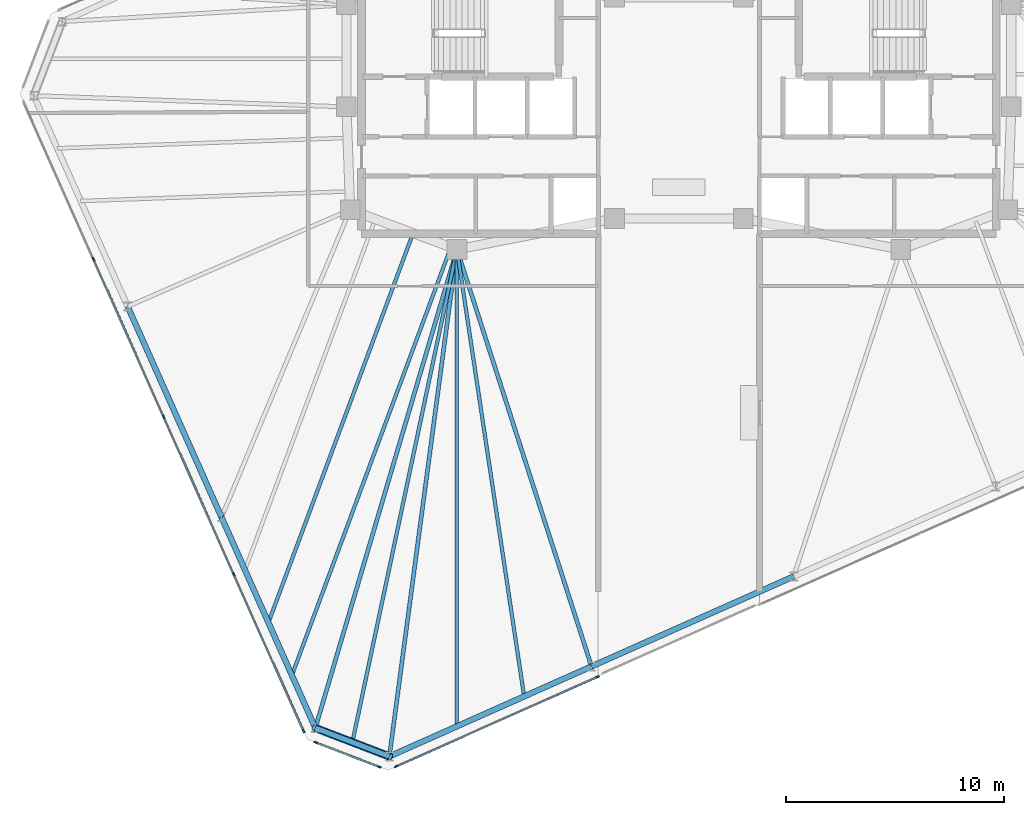
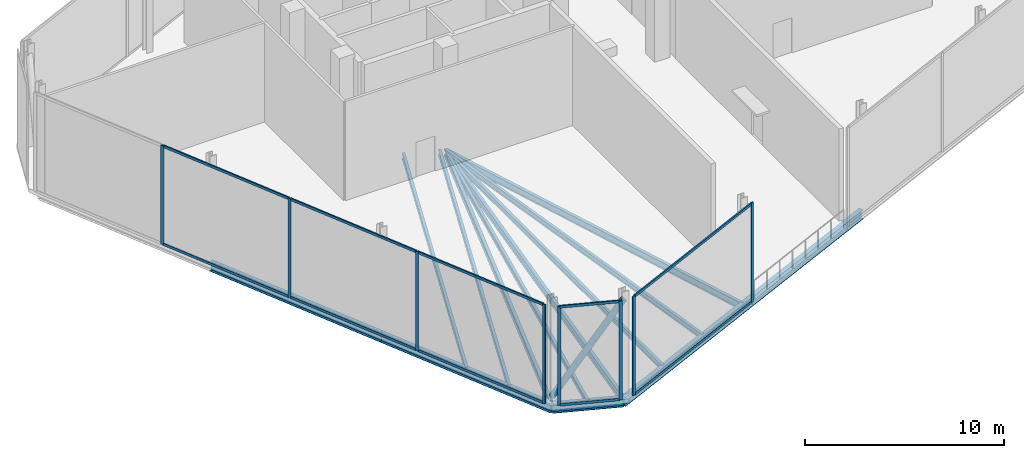
# One storey, part 6 of 16: 19 members, 13 beams, 3 elements without a shape of their own.
"""IFC4 building model written with IfcOpenShell, lengths in metres."""

from ifc_helpers import new_model, si_unit, direction, frame, origin, origin_2d, place, context, subcontext, project, spatial, rectangle, hollow_circle, i_section, extrude, material, material_profile, profile_set, type_object, element, aggregate, save


model = new_model("IFC4")

# Units and contexts
model_context = context("Model", 3, precision=1e-05, world=origin(), true_north=direction((0.0, 1.0)))
body_context = subcontext(model_context, "Body", "Model", "MODEL_VIEW")
ifc_project = project(units=[si_unit("LENGTHUNIT", "METRE"), si_unit("AREAUNIT", "SQUARE_METRE"), si_unit("VOLUMEUNIT", "CUBIC_METRE"), si_unit("PLANEANGLEUNIT", "RADIAN"), si_unit("MASSUNIT", "GRAM", prefix="KILO")], contexts=[model_context])

# Site, building, storey
site_placement = place(None, origin())
site = spatial("IfcSite", under=ifc_project, at=site_placement, CompositionType="ELEMENT")
building_placement = place(site_placement, origin())
building = spatial("IfcBuilding", under=site, at=building_placement, Name="Menara Jurai Vektor", CompositionType="ELEMENT")
storey_placement = place(building_placement, frame((0.0, 0.0, 275.60009765625)))
storey = spatial("IfcBuildingStorey", under=building, at=storey_placement, Name="L74", CompositionType="ELEMENT", Elevation=275.60009765625)

# Curtain wall, members
ifc_material_1 = material(Name="Anodised Pale Aluminium & Low-E Double Glazing", Category="aluminium")
curtain_wall_type = type_object("IfcCurtainWallType", Name="CW-BLK5", PredefinedType="NOTDEFINED", material=ifc_material_1)
curtain_wall_1_placement = place(storey_placement, origin())
curtain_wall_1 = element("IfcCurtainWall", 1, at=curtain_wall_1_placement, inside=storey, type_object=curtain_wall_type, Name="Unitised Curtain Wall L74 W1-04", PredefinedType="NOTDEFINED")
ifc_material_2 = material(Name="Anodised Pale Aluminium Mullion", Category="aluminium")
ifc_material_profile_1 = material_profile(ifc_material_2, rectangle(XDim=0.074951171875, YDim=0.175048828125, at=origin_2d()), Name="ALU MUL 75x175")
ifc_profile_set_1 = profile_set([ifc_material_profile_1], Name="Anodised Pale Aluminium Mullion")
member_type_1 = type_object("IfcMemberType", Name="CW-BLK5-MUL", PredefinedType="MULLION", material=ifc_profile_set_1)
member_1_placement = place(storey_placement, frame((-26.853271484375, -6.765869140625, 0.0), z_axis=(0.0, 0.0, 1.0), x_axis=(0.913546127706, 0.406735138086, 0.0)))
member_1 = element("IfcMember", 2, at=member_1_placement, type_object=member_type_1, Name="CW-05 mullion 2", PredefinedType="MULLION", context=body_context, shape_type="SweptSolid", body=[
    extrude(rectangle(XDim=0.074951171875, YDim=0.175048828125, at=origin_2d()), origin(), (0.0, 0.0, 1.0), 6.074951171875),
])
member_2_placement = place(storey_placement, frame((-23.635986328125, -13.991943359375, 0.0), z_axis=(0.0, 0.0, 1.0), x_axis=(0.913546127706, 0.406735138086, 0.0)))
member_2 = element("IfcMember", 3, at=member_2_placement, type_object=member_type_1, Name="CW-05 mullion 3", PredefinedType="MULLION", context=body_context, shape_type="SweptSolid", body=[
    extrude(rectangle(XDim=0.074951171875, YDim=0.175048828125, at=origin_2d()), origin(), (0.0, 0.0, 1.0), 6.074951171875),
])
member_3_placement = place(storey_placement, frame((-20.418701171875, -21.21826171875, 0.0), z_axis=(0.0, 0.0, 1.0), x_axis=(0.913546127706, 0.406735138086, 0.0)))
member_3 = element("IfcMember", 4, at=member_3_placement, type_object=member_type_1, Name="CW-05 mullion 4", PredefinedType="MULLION", context=body_context, shape_type="SweptSolid", body=[
    extrude(rectangle(XDim=0.074951171875, YDim=0.175048828125, at=origin_2d()), origin(), (0.0, 0.0, 1.0), 6.074951171875),
])
member_4_placement = place(storey_placement, frame((-17.216796875, -28.41015625, 0.0), z_axis=(0.0, 0.0, 1.0), x_axis=(0.913546127706, 0.406735138086, 0.0)))
member_4 = element("IfcMember", 5, at=member_4_placement, type_object=member_type_1, Name="CW-05 mullion 5", PredefinedType="MULLION", context=body_context, shape_type="SweptSolid", body=[
    extrude(rectangle(XDim=0.074951171875, YDim=0.175048828125, at=origin_2d()), origin(), (0.0, 0.0, 1.0), 6.074951171875),
])

curtain_wall_2_placement = place(storey_placement, origin())
curtain_wall_2 = element("IfcCurtainWall", 6, at=curtain_wall_2_placement, inside=storey, type_object=curtain_wall_type, Name="Unitised Curtain Wall L74 W1-05", PredefinedType="NOTDEFINED")
member_5_placement = place(storey_placement, frame((-16.656982421875, -28.94091796875, 0.0), z_axis=(0.0, 0.0, 1.0), x_axis=(0.358373766287, 0.933578193639, 0.0)))
member_5 = element("IfcMember", 7, at=member_5_placement, type_object=member_type_1, Name="CW-05 mullion 1", PredefinedType="MULLION", context=body_context, shape_type="SweptSolid", body=[
    extrude(rectangle(XDim=0.074951171875, YDim=0.175048828125, at=origin_2d()), origin(), (0.0, 0.0, 1.0), 6.074951171875),
])
member_6_placement = place(storey_placement, frame((-13.739990234375, -30.060791015625, 0.0), z_axis=(0.0, 0.0, 1.0), x_axis=(0.358373766287, 0.933578193639, 0.0)))
member_6 = element("IfcMember", 8, at=member_6_placement, type_object=member_type_1, Name="CW-05 mullion 2", PredefinedType="MULLION", context=body_context, shape_type="SweptSolid", body=[
    extrude(rectangle(XDim=0.074951171875, YDim=0.175048828125, at=origin_2d()), origin(), (0.0, 0.0, 1.0), 6.074951171875),
])

curtain_wall_3_placement = place(storey_placement, origin())
curtain_wall_3 = element("IfcCurtainWall", 9, at=curtain_wall_3_placement, inside=storey, type_object=curtain_wall_type, Name="Unitised Curtain Wall L74 W1-06", PredefinedType="NOTDEFINED")
member_7_placement = place(storey_placement, frame((-12.96875, -30.04052734375, 0.0), z_axis=(0.0, 0.0, 1.0), x_axis=(-0.406731524287, 0.913547736657, 0.0)))
member_7 = element("IfcMember", 10, at=member_7_placement, type_object=member_type_1, Name="CW-05 mullion 1", PredefinedType="MULLION", context=body_context, shape_type="SweptSolid", body=[
    extrude(rectangle(XDim=0.074951171875, YDim=0.175048828125, at=origin_2d()), origin(), (0.0, 0.0, 1.0), 6.074951171875),
])
member_8_placement = place(storey_placement, frame((-3.734375, -25.92919921875, 0.0), z_axis=(0.0, 0.0, 1.0), x_axis=(-0.406731524287, 0.913547736657, 0.0)))
member_8 = element("IfcMember", 11, at=member_8_placement, type_object=member_type_1, Name="CW-05 mullion 2", PredefinedType="MULLION", context=body_context, shape_type="SweptSolid", body=[
    extrude(rectangle(XDim=0.074951171875, YDim=0.175048828125, at=origin_2d()), origin(), (0.0, 0.0, 1.0), 6.074951171875),
])

# Member
ifc_material_3 = material(Name="Anodised Pale Aluminium Transom", Category="aluminium")
ifc_material_profile_2 = material_profile(ifc_material_3, rectangle(XDim=0.074951171875, YDim=0.155029296875, at=origin_2d()), Name="ALU TRN 75x155")
ifc_profile_set_2 = profile_set([ifc_material_profile_2], Name="Anodised Pale Aluminium Transom")
member_type_2 = type_object("IfcMemberType", Name="CW-BLK5-TRN", PredefinedType="USERDEFINED", material=ifc_profile_set_2)
member_9_placement = place(storey_placement, frame((-26.838134765625, -6.800048828125, 0.037353515625), z_axis=(0.406731062496, -0.913547942256, 0.0), x_axis=(0.913547942256, 0.406731062496, 0.0)))
member_9 = element("IfcMember", 12, at=member_9_placement, type_object=member_type_2, Name="CW-05 transom 2.1", ObjectType="TRANSOM", PredefinedType="USERDEFINED", context=body_context, shape_type="SweptSolid", body=[
    extrude(rectangle(XDim=0.074951171875, YDim=0.155029296875, at=origin_2d()), origin(), (0.0, 0.0, 1.0), 7.8349609375),
])

member_10_placement = place(storey_placement, frame((-26.838134765625, -6.800048828125, 6.037353515625), z_axis=(0.406731062496, -0.913547942256, 0.0), x_axis=(0.913547942256, 0.406731062496, 0.0)))
member_10 = element("IfcMember", 13, at=member_10_placement, type_object=member_type_2, Name="CW-05 transom 2.2", ObjectType="TRANSOM", PredefinedType="USERDEFINED", context=body_context, shape_type="SweptSolid", body=[
    extrude(rectangle(XDim=0.074951171875, YDim=0.155029296875, at=origin_2d()), origin(), (0.0, 0.0, 1.0), 7.8349609375),
])

member_11_placement = place(storey_placement, frame((-23.620849609375, -14.0263671875, 0.037353515625), z_axis=(0.40674264085, -0.913542787238, 0.0), x_axis=(0.913542787238, 0.40674264085, 0.0)))
member_11 = element("IfcMember", 14, at=member_11_placement, type_object=member_type_2, Name="CW-05 transom 3.1", ObjectType="TRANSOM", PredefinedType="USERDEFINED", context=body_context, shape_type="SweptSolid", body=[
    extrude(rectangle(XDim=0.074951171875, YDim=0.155029296875, at=origin_2d()), origin(), (0.0, 0.0, 1.0), 7.8349609375),
])

member_12_placement = place(storey_placement, frame((-23.620849609375, -14.0263671875, 6.037353515625), z_axis=(0.40674264085, -0.913542787238, 0.0), x_axis=(0.913542787238, 0.40674264085, 0.0)))
member_12 = element("IfcMember", 15, at=member_12_placement, type_object=member_type_2, Name="CW-05 transom 3.2", ObjectType="TRANSOM", PredefinedType="USERDEFINED", context=body_context, shape_type="SweptSolid", body=[
    extrude(rectangle(XDim=0.074951171875, YDim=0.155029296875, at=origin_2d()), origin(), (0.0, 0.0, 1.0), 7.8349609375),
])

member_13_placement = place(storey_placement, frame((-20.403564453125, -21.25244140625, 0.037353515625), z_axis=(0.406751345283, -0.913538911656, 0.0), x_axis=(0.913538911656, 0.406751345283, 0.0)))
member_13 = element("IfcMember", 16, at=member_13_placement, type_object=member_type_2, Name="CW-05 transom 4.1", ObjectType="TRANSOM", PredefinedType="USERDEFINED", context=body_context, shape_type="SweptSolid", body=[
    extrude(rectangle(XDim=0.074951171875, YDim=0.155029296875, at=origin_2d()), origin(), (0.0, 0.0, 1.0), 7.79736328125),
])

member_14_placement = place(storey_placement, frame((-20.403564453125, -21.25244140625, 6.037353515625), z_axis=(0.406751345283, -0.913538911656, 0.0), x_axis=(0.913538911656, 0.406751345283, 0.0)))
member_14 = element("IfcMember", 17, at=member_14_placement, type_object=member_type_2, Name="CW-05 transom 4.2", ObjectType="TRANSOM", PredefinedType="USERDEFINED", context=body_context, shape_type="SweptSolid", body=[
    extrude(rectangle(XDim=0.074951171875, YDim=0.155029296875, at=origin_2d()), origin(), (0.0, 0.0, 1.0), 7.79736328125),
])

aggregate(curtain_wall_1, [member_1, member_2, member_3, member_4, member_9, member_10, member_11, member_12, member_13, member_14])

member_15_placement = place(storey_placement, frame((-16.6220703125, -28.95458984375, 0.037353515625), z_axis=(0.933597094911, -0.358324523823, 0.0), x_axis=(0.358324523823, 0.933597094911, 0.0)))
member_15 = element("IfcMember", 18, at=member_15_placement, type_object=member_type_2, Name="CW-05 transom 1.1", ObjectType="TRANSOM", PredefinedType="USERDEFINED", context=body_context, shape_type="SweptSolid", body=[
    extrude(rectangle(XDim=0.074951171875, YDim=0.155029296875, at=origin_2d()), origin(), (0.0, 0.0, 1.0), 3.049560546875),
])

member_16_placement = place(storey_placement, frame((-16.6220703125, -28.95458984375, 6.037353515625), z_axis=(0.933597094911, -0.358324523823, 0.0), x_axis=(0.358324523823, 0.933597094911, 0.0)))
member_16 = element("IfcMember", 19, at=member_16_placement, type_object=member_type_2, Name="CW-05 transom 1.2", ObjectType="TRANSOM", PredefinedType="USERDEFINED", context=body_context, shape_type="SweptSolid", body=[
    extrude(rectangle(XDim=0.074951171875, YDim=0.155029296875, at=origin_2d()), origin(), (0.0, 0.0, 1.0), 3.049560546875),
])

aggregate(curtain_wall_2, [member_5, member_6, member_15, member_16])

member_17_placement = place(storey_placement, frame((-12.9345703125, -30.025390625, 0.037353515625), z_axis=(0.91355147696, 0.406723123199, 0.0), x_axis=(-0.406723123199, 0.91355147696, 0.0)))
member_17 = element("IfcMember", 20, at=member_17_placement, type_object=member_type_2, Name="CW-05 transom 1.1", ObjectType="TRANSOM", PredefinedType="USERDEFINED", context=body_context, shape_type="SweptSolid", body=[
    extrude(rectangle(XDim=0.074951171875, YDim=0.155029296875, at=origin_2d()), origin(), (0.0, 0.0, 1.0), 10.033447265625),
])

member_18_placement = place(storey_placement, frame((-12.9345703125, -30.025390625, 6.037353515625), z_axis=(0.91355147696, 0.406723123199, 0.0), x_axis=(-0.406723123199, 0.91355147696, 0.0)))
member_18 = element("IfcMember", 21, at=member_18_placement, type_object=member_type_2, Name="CW-05 transom 1.2", ObjectType="TRANSOM", PredefinedType="USERDEFINED", context=body_context, shape_type="SweptSolid", body=[
    extrude(rectangle(XDim=0.074951171875, YDim=0.155029296875, at=origin_2d()), origin(), (0.0, 0.0, 1.0), 10.033447265625),
])

aggregate(curtain_wall_3, [member_7, member_8, member_17, member_18])

# Beams
ifc_material_4 = material(Name="Steel S355", Category="steel")
ifc_material_profile_3 = material_profile(ifc_material_4, i_section(OverallWidth=0.18505859375, OverallDepth=0.429931640625, WebThickness=0.010986328125, FlangeThickness=0.01806640625, at=origin_2d()), Name="PG 430x185x76")
ifc_profile_set_3 = profile_set([ifc_material_profile_3], Name="Steel S355")
beam_type_1 = type_object("IfcBeamType", Name="STR-BM-430", PredefinedType="BEAM", material=ifc_profile_set_3)
beam_1_placement = place(storey_placement, frame((-13.279541015625, -29.576904296875, -0.465087890625), z_axis=(0.132109192855, 0.991235169454, 0.0), x_axis=(-0.991235169454, 0.132109192855, 0.0)))
element("IfcBeam", 22, at=beam_1_placement, inside=storey, type_object=beam_type_1, Name="Radial Floor Girder L74-S1", PredefinedType="BEAM", context=body_context, shape_type="SweptSolid", body=[
    extrude(i_section(OverallWidth=0.18505859375, OverallDepth=0.429931640625, WebThickness=0.010986328125, FlangeThickness=0.01806640625, at=origin_2d()), origin(), (0.0, 0.0, 1.0), 23.46240234375),
])
beam_2_placement = place(storey_placement, frame((-4.006103515625, -25.4482421875, -0.465087890625), z_axis=(-0.307158217721, 0.95165846252, 0.0), x_axis=(-0.95165846252, -0.307158217721, 0.0)))
element("IfcBeam", 23, at=beam_2_placement, inside=storey, type_object=beam_type_1, Name="Radial Floor Girder L74-S2", PredefinedType="BEAM", context=body_context, shape_type="SweptSolid", body=[
    extrude(i_section(OverallWidth=0.18505859375, OverallDepth=0.429931640625, WebThickness=0.010986328125, FlangeThickness=0.01806640625, at=origin_2d()), origin(), (0.0, 0.0, 1.0), 20.099853515625),
])
beam_3_placement = place(storey_placement, frame((-16.675537109375, -28.2734375, -0.465087890625), z_axis=(0.283723047838, 0.958906268686, 0.0), x_axis=(-0.958906268686, 0.283723047838, 0.0)))
element("IfcBeam", 24, at=beam_3_placement, inside=storey, type_object=beam_type_1, Name="Radial Floor Girder L74-W4", PredefinedType="BEAM", context=body_context, shape_type="SweptSolid", body=[
    extrude(i_section(OverallWidth=0.18505859375, OverallDepth=0.429931640625, WebThickness=0.010986328125, FlangeThickness=0.01806640625, at=origin_2d()), origin(), (0.0, 0.0, 1.0), 22.894287109375),
])

# Member
ifc_material_5 = material(Name="Steel S460", Category="steel")
ifc_material_profile_4 = material_profile(ifc_material_5, hollow_circle(Radius=0.177734375, WallThickness=0.01611328125, at=origin_2d()), Name="CHS 355.6x16")
ifc_profile_set_4 = profile_set([ifc_material_profile_4], Name="Steel S460")
member_type_3 = type_object("IfcMemberType", Name="STR-BR-356", PredefinedType="BRACE", material=ifc_profile_set_4)
member_19_placement = place(storey_placement, frame((-16.675537109375, -28.2734375, 0.14990234375), z_axis=(0.510160720027, -0.195812227478, 0.83749245448), x_axis=(0.358335850414, 0.933592747566, 0.0)))
element("IfcMember", 25, at=member_19_placement, inside=storey, type_object=member_type_3, Name="Exoskeleton Corner Brace L74-4", PredefinedType="BRACE", context=body_context, shape_type="SweptSolid", body=[
    extrude(hollow_circle(Radius=0.177734375, WallThickness=0.01611328125, at=origin_2d()), origin(), (0.0, 0.0, 1.0), 6.65673828125),
])

# Beams
ifc_material_profile_5 = material_profile(ifc_material_4, i_section(OverallWidth=0.1650390625, OverallDepth=0.330078125, WebThickness=0.009033203125, FlangeThickness=0.013916015625, at=origin_2d()), Name="PG 330x165x46")
ifc_profile_set_5 = profile_set([ifc_material_profile_5], Name="Steel S355")
beam_type_2 = type_object("IfcBeamType", Name="STR-JS-330", PredefinedType="JOIST", material=ifc_profile_set_5)
beam_4_placement = place(storey_placement, frame((-10.188232421875, -28.20068359375, -0.4150390625), z_axis=(0.000379366876, 0.99999992804, 0.0), x_axis=(-0.99999992804, 0.000379366876, 0.0)))
element("IfcBeam", 26, at=beam_4_placement, inside=storey, type_object=beam_type_2, Name="Radial Secondary Floor Joist L74-JS01", PredefinedType="JOIST", context=body_context, shape_type="SweptSolid", body=[
    extrude(i_section(OverallWidth=0.1650390625, OverallDepth=0.330078125, WebThickness=0.009033203125, FlangeThickness=0.013916015625, at=origin_2d()), origin(), (0.0, 0.0, 1.0), 21.880615234375),
])
beam_5_placement = place(storey_placement, frame((-7.09716796875, -26.824462890625, -0.4150390625), z_axis=(-0.148675540239, 0.988886031722, 0.0), x_axis=(-0.988886031722, -0.148675540239, 0.0)))
element("IfcBeam", 27, at=beam_5_placement, inside=storey, type_object=beam_type_2, Name="Radial Secondary Floor Joist L74-JS02", PredefinedType="JOIST", context=body_context, shape_type="SweptSolid", body=[
    extrude(i_section(OverallWidth=0.1650390625, OverallDepth=0.330078125, WebThickness=0.009033203125, FlangeThickness=0.013916015625, at=origin_2d()), origin(), (0.0, 0.0, 1.0), 20.73486328125),
])
beam_6_placement = place(storey_placement, frame((-18.828125, -23.4384765625, -0.4150390625), z_axis=(0.348177845571, 0.937428497462, 0.0), x_axis=(-0.937428497462, 0.348177845571, 0.0)))
element("IfcBeam", 28, at=beam_6_placement, inside=storey, type_object=beam_type_2, Name="Radial Secondary Floor Joist L74-JS25", PredefinedType="JOIST", context=body_context, shape_type="SweptSolid", body=[
    extrude(i_section(OverallWidth=0.1650390625, OverallDepth=0.330078125, WebThickness=0.009033203125, FlangeThickness=0.013916015625, at=origin_2d()), origin(), (0.0, 0.0, 1.0), 19.05859375),
])
beam_7_placement = place(storey_placement, frame((-17.751953125, -25.85595703125, -0.4150390625), z_axis=(0.348185651823, 0.937425598042, 0.0), x_axis=(-0.937425598042, 0.348185651823, 0.0)))
element("IfcBeam", 29, at=beam_7_placement, inside=storey, type_object=beam_type_2, Name="Radial Secondary Floor Joist L74-JS26", PredefinedType="JOIST", context=body_context, shape_type="SweptSolid", body=[
    extrude(i_section(OverallWidth=0.1650390625, OverallDepth=0.330078125, WebThickness=0.009033203125, FlangeThickness=0.013916015625, at=origin_2d()), origin(), (0.0, 0.0, 1.0), 20.949951171875),
])
beam_8_placement = place(storey_placement, frame((-14.9775390625, -28.92529296875, -0.4150390625), z_axis=(0.207610208592, 0.978211634202, 0.0), x_axis=(-0.978211634202, 0.207610208592, 0.0)))
element("IfcBeam", 30, at=beam_8_placement, inside=storey, type_object=beam_type_2, Name="Radial Secondary Floor Joist L74-JS27", PredefinedType="JOIST", context=body_context, shape_type="SweptSolid", body=[
    extrude(i_section(OverallWidth=0.1650390625, OverallDepth=0.330078125, WebThickness=0.009033203125, FlangeThickness=0.013916015625, at=origin_2d()), origin(), (0.0, 0.0, 1.0), 23.108642578125),
])
ifc_material_profile_6 = material_profile(ifc_material_4, i_section(OverallWidth=0.260009765625, OverallDepth=0.570068359375, WebThickness=0.013916015625, FlangeThickness=0.02392578125, at=origin_2d()), Name="PG 570x260x145")
ifc_profile_set_6 = profile_set([ifc_material_profile_6], Name="Steel S355")
beam_type_3 = type_object("IfcBeamType", Name="STR-SP-570", PredefinedType="SPANDREL", material=ifc_profile_set_6)
beam_9_placement = place(storey_placement, frame((-13.279541015625, -29.576904296875, -0.53515625), z_axis=(0.913550519143, 0.406725274569, 0.0), x_axis=(-0.406725274569, 0.913550519143, 0.0)))
element("IfcBeam", 31, at=beam_9_placement, inside=storey, type_object=beam_type_3, Name="Exoskeleton Spandrel Beam L74-01", PredefinedType="SPANDREL", context=body_context, shape_type="SweptSolid", body=[
    extrude(i_section(OverallWidth=0.260009765625, OverallDepth=0.570068359375, WebThickness=0.013916015625, FlangeThickness=0.02392578125, at=origin_2d()), origin(), (0.0, 0.0, 1.0), 10.15087890625),
])
beam_10_placement = place(storey_placement, frame((-4.006103515625, -25.4482421875, -0.53515625), z_axis=(0.913545561407, 0.406736410017, 0.0), x_axis=(-0.406736410017, 0.913545561407, 0.0)))
element("IfcBeam", 32, at=beam_10_placement, inside=storey, type_object=beam_type_3, Name="Exoskeleton Spandrel Beam L74-02", PredefinedType="SPANDREL", context=body_context, shape_type="SweptSolid", body=[
    extrude(i_section(OverallWidth=0.260009765625, OverallDepth=0.570068359375, WebThickness=0.013916015625, FlangeThickness=0.02392578125, at=origin_2d()), origin(), (0.0, 0.0, 1.0), 10.1513671875),
])
for number, where, z_axis, x_axis, name in (
    (33, (-25.286376953125, -8.933349609375, -0.53515625), (0.406744000616, -0.913542181819, 0.0), (0.913542181819, 0.406744000616, 0.0), "Exoskeleton Spandrel Beam L74-18"),
    (34, (-20.98095703125, -18.603271484375, -0.53515625), (0.40673543049, -0.91354599752, 0.0), (0.91354599752, 0.40673543049, 0.0), "Exoskeleton Spandrel Beam L74-19"),
):
    element("IfcBeam", number, at=place(storey_placement, frame(where, z_axis=z_axis, x_axis=x_axis)), inside=storey, type_object=beam_type_3, Name=name, PredefinedType="SPANDREL", context=body_context, shape_type="SweptSolid", body=[
        extrude(i_section(OverallWidth=0.260009765625, OverallDepth=0.570068359375, WebThickness=0.013916015625, FlangeThickness=0.02392578125, at=origin_2d()), origin(), (0.0, 0.0, 1.0), 10.585205078125),
    ])
beam_11_placement = place(storey_placement, frame((-16.675537109375, -28.2734375, -0.53515625), z_axis=(0.933592747566, -0.358335850414, 0.0), x_axis=(0.358335850414, 0.933592747566, 0.0)))
element("IfcBeam", 35, at=beam_11_placement, inside=storey, type_object=beam_type_3, Name="Exoskeleton Spandrel Beam L74-20", PredefinedType="SPANDREL", context=body_context, shape_type="SweptSolid", body=[
    extrude(i_section(OverallWidth=0.260009765625, OverallDepth=0.570068359375, WebThickness=0.013916015625, FlangeThickness=0.02392578125, at=origin_2d()), origin(), (0.0, 0.0, 1.0), 3.637451171875),
])

save(model, "model.ifc")
